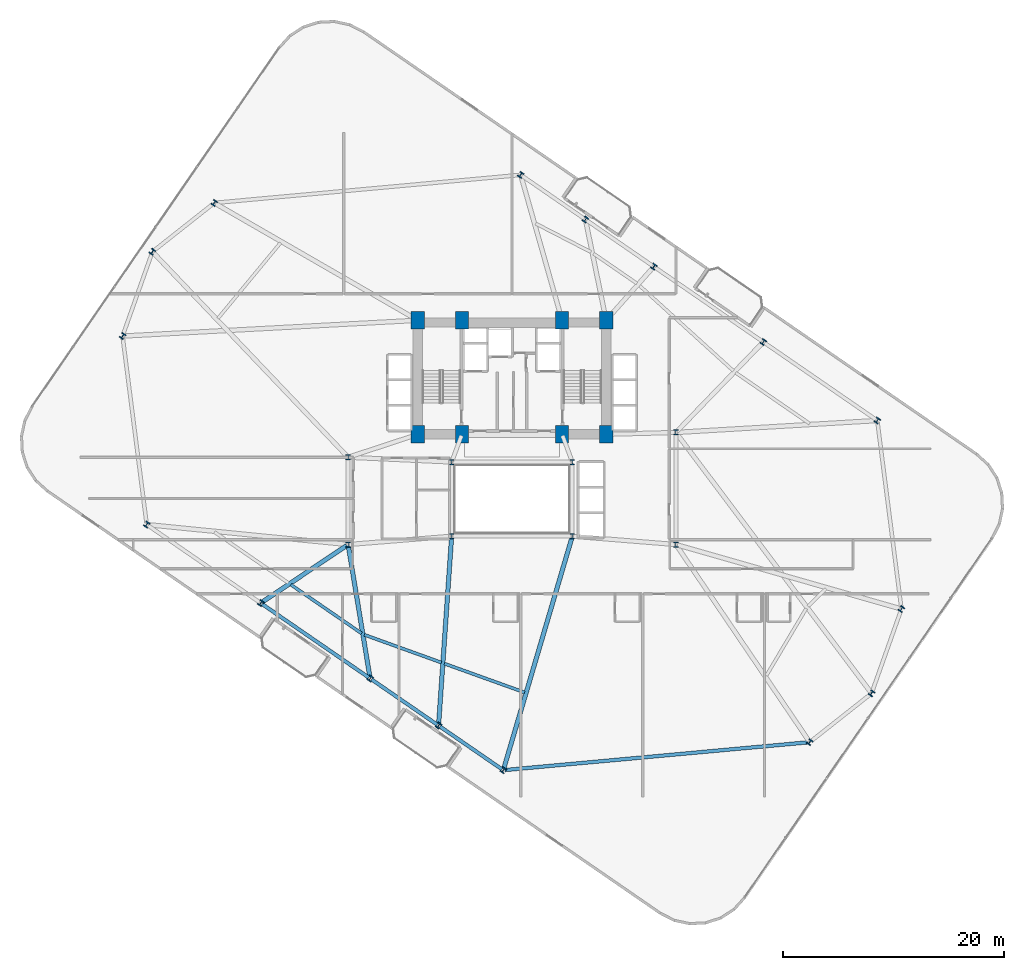
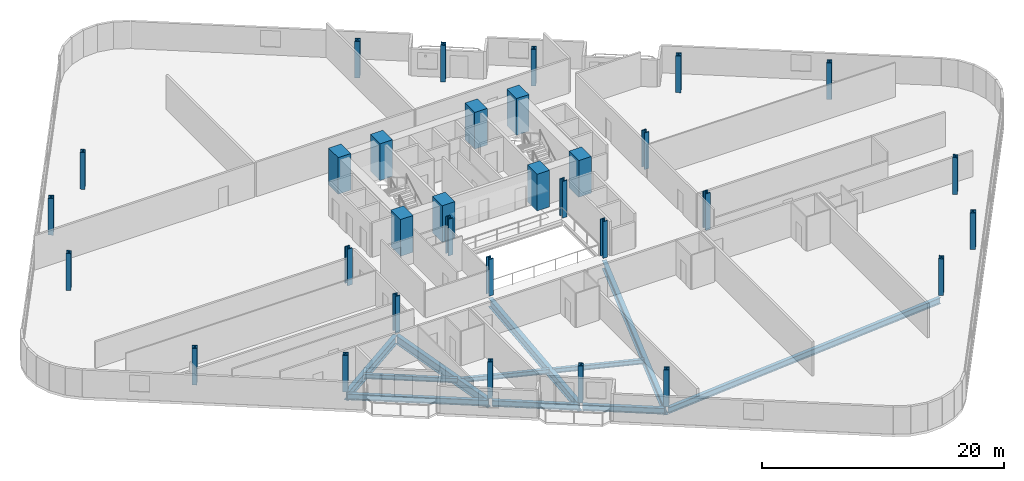
# One storey, part 1 of 24: 32 columns, 11 beams.
"""IFC4 building model written with IfcOpenShell, lengths in metres."""

import ifcopenshell
import ifcopenshell.guid

model = None  # the IFC model being written
_history = None  # IfcOwnerHistory: only IFC2X3 demands one
_inside = {}  # id of a spatial element -> (the spatial element, [elements in it])
_under = {}  # id of a project, library or spatial element -> (it, [spatial elements below it])
_declared = {}  # id of a project -> (the project, [libraries it declares])
_typed = {}  # id of a type object -> (the type object, [elements of that type])
_made_of = {}  # id of a material, layer set ... -> (it, [elements and type objects made of it])


def new_model(schema):
    """Start an empty IFC model of exactly this schema.

    Asked for "IFC4X3", IfcOpenShell would pick the latest addendum, in which some entities
    have other attributes; the version numbers below select the first issue.
    IFC2X3 requires an IfcOwnerHistory on every rooted entity: one is made here for all.
    """
    global model, _history
    if schema == "IFC4X3":
        model = ifcopenshell.file(schema_version=(4, 3, 0, 0))
    else:
        model = ifcopenshell.file(schema=schema)
    _inside.clear()
    _under.clear()
    _declared.clear()
    _typed.clear()
    _made_of.clear()
    _history = None
    if model.schema == "IFC2X3":
        org = make("IfcOrganization", Name="unknown")
        user = make(
            "IfcPersonAndOrganization",
            ThePerson=make("IfcPerson", FamilyName="unknown"),
            TheOrganization=org,
        )
        app = make(
            "IfcApplication",
            ApplicationDeveloper=org,
            Version="unknown",
            ApplicationFullName="unknown",
            ApplicationIdentifier="unknown",
        )
        _history = make(
            "IfcOwnerHistory",
            OwningUser=user,
            OwningApplication=app,
            ChangeAction="ADDED",
            CreationDate=0,
        )
    return model


def make(cls, **values):
    """One entity of the class cls with the attributes given. An attribute that is None is left unset."""
    return model.create_entity(
        cls, **{name: value for name, value in values.items() if value is not None}
    )


def rooted(cls, **values):
    """An entity with a GlobalId (a new one), such as an element, a storey or a relation."""
    return make(cls, GlobalId=ifcopenshell.guid.new(), OwnerHistory=_history, **values)


def si_unit(unit_type, name, prefix=None):
    """IfcSIUnit, for example si_unit("LENGTHUNIT", "METRE", prefix="MILLI")."""
    return make("IfcSIUnit", UnitType=unit_type, Prefix=prefix, Name=name)


def assignment(units):
    """IfcUnitAssignment: the units of a project."""
    return None if units is None else make("IfcUnitAssignment", Units=units)


def point(xyz):
    """IfcCartesianPoint."""
    return None if xyz is None else make("IfcCartesianPoint", Coordinates=xyz)


def direction(xyz):
    """IfcDirection."""
    return None if xyz is None else make("IfcDirection", DirectionRatios=xyz)


def frame(location, z_axis=None, x_axis=None):
    """IfcAxis2Placement3D, a coordinate frame: its origin and axes. An axis left out is left unset."""
    return make(
        "IfcAxis2Placement3D",
        Location=point(location),
        Axis=direction(z_axis),
        RefDirection=direction(x_axis),
    )


def frame_2d(location, x_axis=None):
    """IfcAxis2Placement2D, a coordinate frame in the plane: its origin and x axis."""
    return make(
        "IfcAxis2Placement2D", Location=point(location), RefDirection=direction(x_axis)
    )


def origin():
    """The frame at (0, 0, 0) with its axes left unset."""
    return frame((0.0, 0.0, 0.0))


def origin_2d():
    """The frame at (0, 0) in the plane with its x axis left unset."""
    return frame_2d((0.0, 0.0))


def place(relative_to, where):
    """IfcLocalPlacement: puts the frame where relative to a parent placement (None: the world)."""
    return make(
        "IfcLocalPlacement", PlacementRelTo=relative_to, RelativePlacement=where
    )


def context(
    kind, dimensions, precision=None, world=None, true_north=None, identifier=None
):
    """IfcGeometricRepresentationContext, for example the 3D "Model" context."""
    return make(
        "IfcGeometricRepresentationContext",
        ContextIdentifier=identifier,
        ContextType=kind,
        CoordinateSpaceDimension=dimensions,
        Precision=precision,
        WorldCoordinateSystem=world,
        TrueNorth=true_north,
    )


def subcontext(parent, identifier, kind, view, scale=None):
    """IfcGeometricRepresentationSubContext, for example "Body" below "Model"."""
    return make(
        "IfcGeometricRepresentationSubContext",
        ContextIdentifier=identifier,
        ContextType=kind,
        ParentContext=parent,
        TargetScale=scale,
        TargetView=view,
    )


def project(units=None, contexts=None):
    """IfcProject with its units and contexts."""
    return rooted(
        "IfcProject",
        Name="project",
        RepresentationContexts=contexts,
        UnitsInContext=assignment(units),
    )


def spatial(cls, under=None, at=None, **own):
    """A site, building, storey or space (cls), placed at a placement, below another one or the project."""
    s = rooted(cls, ObjectPlacement=at, **own)
    if under is not None:
        _under.setdefault(under.id(), (under, []))[1].append(s)
    return s


def profile(cls, at=None, kind="AREA", **sizes):
    """A parametric profile (cls). Its sizes go by their IFC names, for example OverallWidth=200.0."""
    return make(cls, ProfileType=kind, Position=at, **sizes)


def rectangle(**sizes):
    """IfcRectangleProfileDef."""
    return profile("IfcRectangleProfileDef", **sizes)


def i_section(**sizes):
    """IfcIShapeProfileDef."""
    return profile("IfcIShapeProfileDef", **sizes)


def extrude(swept, where, along, depth):
    """IfcExtrudedAreaSolid: the profile swept, set in the frame where, extruded along a direction by depth."""
    return make(
        "IfcExtrudedAreaSolid",
        SweptArea=swept,
        Position=where,
        ExtrudedDirection=direction(along),
        Depth=depth,
    )


def shape(context_of_items, identifier, shape_type, items):
    """IfcShapeRepresentation: the items that make up one representation, for example the "Body"."""
    return make(
        "IfcShapeRepresentation",
        ContextOfItems=context_of_items,
        RepresentationIdentifier=identifier,
        RepresentationType=shape_type,
        Items=items,
    )


def material(Name=None, Category=None):
    """IfcMaterial."""
    return make("IfcMaterial", Name=Name, Category=Category)


def material_profile(
    of_material, cross_section, Name=None, Category=None, Priority=None
):
    """IfcMaterialProfile: a cross section and its material."""
    return make(
        "IfcMaterialProfile",
        Name=Name,
        Material=of_material,
        Profile=cross_section,
        Priority=Priority,
        Category=Category,
    )


def profile_set(profiles, Name=None, composite=None):
    """IfcMaterialProfileSet."""
    return make(
        "IfcMaterialProfileSet",
        Name=Name,
        MaterialProfiles=profiles,
        CompositeProfile=composite,
    )


def made_of(thing, what):
    """Note that an element or type object is made of a material, layer set ...; save() writes the relation."""
    if what is not None:
        _made_of.setdefault(what.id(), (what, []))[1].append(thing)
    return thing


def type_object(cls, material=None, **own):
    """A type object (cls), such as IfcWallType, which elements share."""
    return made_of(rooted(cls, **own), material)


def element(
    cls,
    number,
    at=None,
    inside=None,
    cuts=None,
    type_object=None,
    material=None,
    context=None,
    identifier="Body",
    shape_type=None,
    held_by="IfcProductDefinitionShape",
    body=None,
    shapes=None,
    **own,
):
    """One element of the class cls, such as IfcWall. Its Tag is "e" and its number.

    at: its placement. inside: the storey or other place that contains it. cuts: it is an
    opening in that element (IfcRelVoidsElement). A single representation is given by context,
    identifier, shape_type and body (its items); several are given by shapes. held_by: the class
    of the entity that holds the representations. save() writes the other relations.
    """
    e = rooted(cls, Tag="e%d" % number, ObjectPlacement=at, **own)
    if body is not None:
        shapes = [shape(context, identifier, shape_type, body)]
    if shapes is not None:
        e.Representation = make(held_by, Representations=shapes)
    if inside is not None:
        _inside.setdefault(inside.id(), (inside, []))[1].append(e)
    if cuts is not None:
        rooted(
            "IfcRelVoidsElement", RelatingBuildingElement=cuts, RelatedOpeningElement=e
        )
    if type_object is not None:
        _typed.setdefault(type_object.id(), (type_object, []))[1].append(e)
    return made_of(e, material)


def aggregate(whole, parts):
    """IfcRelAggregates: a whole, such as a stair, and the parts it consists of."""
    return rooted("IfcRelAggregates", RelatingObject=whole, RelatedObjects=parts)


def save(model, path):
    """Write the relations noted so far, then the file.

    IfcRelAggregates (storeys below a building ...), IfcRelContainedInSpatialStructure (elements
    in a storey), IfcRelDefinesByType, IfcRelAssociatesMaterial and IfcRelDeclares: one each for
    every whole, place, type object, material and project.
    """
    for whole, parts in _under.values():
        aggregate(whole, parts)
    for where, things in _inside.values():
        rooted(
            "IfcRelContainedInSpatialStructure",
            RelatedElements=things,
            RelatingStructure=where,
        )
    for kind, things in _typed.values():
        rooted("IfcRelDefinesByType", RelatedObjects=things, RelatingType=kind)
    for what, things in _made_of.values():
        rooted("IfcRelAssociatesMaterial", RelatedObjects=things, RelatingMaterial=what)
    for by, libraries in _declared.values():
        rooted("IfcRelDeclares", RelatingContext=by, RelatedDefinitions=libraries)
    model.write(path)


model = new_model("IFC4")

# Units and contexts
model_context = context("Model", 3, precision=1e-05, world=origin(), true_north=direction((0.0, 1.0)))
body_context = subcontext(model_context, "Body", "Model", "MODEL_VIEW")
ifc_project = project(units=[si_unit("LENGTHUNIT", "METRE"), si_unit("AREAUNIT", "SQUARE_METRE"), si_unit("VOLUMEUNIT", "CUBIC_METRE"), si_unit("PLANEANGLEUNIT", "RADIAN"), si_unit("MASSUNIT", "GRAM", prefix="KILO")], contexts=[model_context])

# Site, building, storey
site_placement = place(None, origin())
site = spatial("IfcSite", under=ifc_project, at=site_placement, CompositionType="ELEMENT")
building_placement = place(site_placement, origin())
building = spatial("IfcBuilding", under=site, at=building_placement, Name="Varnelok Gate Tower", CompositionType="ELEMENT")
storey_placement = place(building_placement, frame((0.0, 0.0, 41.800048828125)))
storey = spatial("IfcBuildingStorey", under=building, at=storey_placement, Name="L09", CompositionType="ELEMENT", Elevation=41.800048828125)

# Columns
ifc_material_1 = material(Name="Concrete C70/85", Category="concrete")
ifc_material_profile_1 = material_profile(ifc_material_1, rectangle(XDim=1.199951171875, YDim=1.60009765625, at=origin_2d()), Name="RC1600X1200")
ifc_profile_set_1 = profile_set([ifc_material_profile_1], Name="Concrete C70/85")
column_type_1 = type_object("IfcColumnType", Name="COL-RC1600X1200", PredefinedType="COLUMN", material=ifc_profile_set_1)
for number, where, z_axis, x_axis, name in (
    (1, (30.699951171875, 28.75, 0.0), (0.0, 0.0, 1.0), (1.0, 0.0, 0.0), "L09 Core Spine Column SC1"),
    (2, (34.679931640625, 28.75, 0.0), (0.0, 0.0, 1.0), (1.0, 0.0, 0.0), "L09 Core Spine Column SC2"),
    (3, (43.719970703125, 28.75, 0.0), (0.0, 0.0, 1.0), (1.0, 0.0, 0.0), "L09 Core Spine Column SC3"),
    (4, (47.699951171875, 28.75, 0.0), (0.0, 0.0, 1.0), (1.0, 0.0, 0.0), "L09 Core Spine Column SC4"),
    (5, (30.699951171875, 39.050048828125, 0.0), (0.0, 0.0, 1.0), (1.0, 0.0, 0.0), "L09 Core Spine Column SC5"),
    (6, (34.679931640625, 39.050048828125, 0.0), (0.0, 0.0, 1.0), (1.0, 0.0, 0.0), "L09 Core Spine Column SC6"),
    (7, (43.719970703125, 39.050048828125, 0.0), (0.0, 0.0, 1.0), (1.0, 0.0, 0.0), "L09 Core Spine Column SC7"),
    (8, (47.699951171875, 39.050048828125, 0.0), (0.0, 0.0, 1.0), (1.0, 0.0, 0.0), "L09 Core Spine Column SC8"),
):
    element("IfcColumn", number, at=place(storey_placement, frame(where, z_axis=z_axis, x_axis=x_axis)), inside=storey, type_object=column_type_1, Name=name, PredefinedType="COLUMN", context=body_context, shape_type="SweptSolid", body=[
        extrude(rectangle(XDim=1.199951171875, YDim=1.60009765625, at=origin_2d()), origin(), (0.0, 0.0, 1.0), 3.699951171875),
    ])
ifc_material_2 = material(Name="Structural Steel ASTM A992 Grade 50", Category="steel")
ifc_material_profile_2 = material_profile(ifc_material_2, i_section(OverallWidth=0.431884765625, OverallDepth=0.498046875, WebThickness=0.0556640625, FlangeThickness=0.0888671875, FilletRadius=0.02490234375, at=origin_2d()), Name="W14X500")
ifc_profile_set_2 = profile_set([ifc_material_profile_2], Name="Structural Steel ASTM A992 Grade 50")
column_type_2 = type_object("IfcColumnType", Name="COL-W14X500", PredefinedType="COLUMN", material=ifc_profile_set_2)
for number, where, z_axis, x_axis, name in (
    (9, (33.75, 19.550048828125, 0.0), (0.0, 0.0, 1.0), (1.0, 0.0, 0.0), "L09 Atrium Spine Column AC1"),
    (10, (44.64990234375, 19.550048828125, 0.0), (0.0, 0.0, 1.0), (1.0, 0.0, 0.0), "L09 Atrium Spine Column AC2"),
    (11, (33.75, 26.25, 0.0), (0.0, 0.0, 1.0), (1.0, 0.0, 0.0), "L09 Atrium Spine Column AC3"),
    (12, (44.64990234375, 26.25, 0.0), (0.0, 0.0, 1.0), (1.0, 0.0, 0.0), "L09 Atrium Spine Column AC4"),
    (13, (24.39990234375, 18.800048828125, 0.0), (0.0, 0.0, 1.0), (1.0, 0.0, 0.0), "L09 Wing Spine Column WS1"),
    (14, (24.39990234375, 26.679931640625, 0.0), (0.0, 0.0, 1.0), (1.0, 0.0, 0.0), "L09 Wing Spine Column WS2"),
    (15, (54.0, 18.800048828125, 0.0), (0.0, 0.0, 1.0), (1.0, 0.0, 0.0), "L09 Wing Spine Column ES1"),
    (16, (54.0, 28.919921875, 0.0), (0.0, 0.0, 1.0), (1.0, 0.0, 0.0), "L09 Wing Spine Column ES2"),
    (17, (6.214599609375, 20.602783203125, 0.0), (0.0, 0.0, 1.0), (0.823532597628, -0.567268949127, 0.0), "L09 B1 Perimeter Column PC01"),
    (18, (16.5087890625, 13.511962890625, 0.0), (0.0, 0.0, 1.0), (0.823532597628, -0.567268949127, 0.0), "L09 B1 Perimeter Column PC02"),
    (19, (26.39111328125, 6.70458984375, 0.0), (0.0, 0.0, 1.0), (0.823532597628, -0.567268949127, 0.0), "L09 B1 Perimeter Column PC03"),
    (20, (32.567626953125, 2.4501953125, 0.0), (0.0, 0.0, 1.0), (0.823532597628, -0.567268949127, 0.0), "L09 B1 Perimeter Column PC04"),
    (21, (38.41455078125, -1.577392578125, 0.0), (0.0, 0.0, 1.0), (0.823532597628, -0.567268949127, 0.0), "L09 B1 Perimeter Column PC05"),
    (22, (66.084716796875, 0.95263671875, 0.0), (0.0, 0.0, 1.0), (0.823532597628, -0.567268949127, 0.0), "L09 B1 Perimeter Column PC06"),
    (23, (71.669921875, 5.362548828125, 0.0), (0.0, 0.0, 1.0), (0.823532597628, -0.567268949127, 0.0), "L09 B1 Perimeter Column PC07"),
    (24, (74.366943359375, 12.976318359375, 0.0), (0.0, 0.0, 1.0), (0.823532597628, -0.567268949127, 0.0), "L09 B1 Perimeter Column PC08"),
    (25, (72.185546875, 29.997314453125, 0.0), (0.0, 0.0, 1.0), (0.823532597628, -0.567268949127, 0.0), "L09 B1 Perimeter Column PC09"),
    (26, (61.891357421875, 37.088134765625, 0.0), (0.0, 0.0, 1.0), (0.823532597628, -0.567268949127, 0.0), "L09 B1 Perimeter Column PC10"),
    (27, (52.0087890625, 43.8955078125, 0.0), (0.0, 0.0, 1.0), (0.823532597628, -0.567268949127, 0.0), "L09 B1 Perimeter Column PC11"),
    (28, (45.83251953125, 48.14990234375, 0.0), (0.0, 0.0, 1.0), (0.823532597628, -0.567268949127, 0.0), "L09 B1 Perimeter Column PC12"),
    (29, (39.9853515625, 52.177490234375, 0.0), (0.0, 0.0, 1.0), (0.823532597628, -0.567268949127, 0.0), "L09 B1 Perimeter Column PC13"),
    (30, (12.315185546875, 49.6474609375, 0.0), (0.0, 0.0, 1.0), (0.823532597628, -0.567268949127, 0.0), "L09 B1 Perimeter Column PC14"),
    (31, (6.72998046875, 45.237548828125, 0.0), (0.0, 0.0, 1.0), (0.823532597628, -0.567268949127, 0.0), "L09 B1 Perimeter Column PC15"),
    (32, (4.033203125, 37.623779296875, 0.0), (0.0, 0.0, 1.0), (0.823532597628, -0.567268949127, 0.0), "L09 B1 Perimeter Column PC16"),
):
    element("IfcColumn", number, at=place(storey_placement, frame(where, z_axis=z_axis, x_axis=x_axis)), inside=storey, type_object=column_type_2, Name=name, PredefinedType="COLUMN", context=body_context, shape_type="SweptSolid", body=[
        extrude(i_section(OverallWidth=0.431884765625, OverallDepth=0.498046875, WebThickness=0.0556640625, FlangeThickness=0.0888671875, FilletRadius=0.02490234375, at=origin_2d()), origin(), (0.0, 0.0, 1.0), 3.699951171875),
    ])

# Beams
ifc_material_profile_3 = material_profile(ifc_material_2, i_section(OverallWidth=0.280029296875, OverallDepth=0.462890625, WebThickness=0.0107421875, FlangeThickness=0.017333984375, FilletRadius=0.014892578125, at=origin_2d()), Name="W18X76")
ifc_profile_set_3 = profile_set([ifc_material_profile_3], Name="Structural Steel ASTM A992 Grade 50")
beam_type_1 = type_object("IfcBeamType", Name="BM-JST-W18X76", PredefinedType="JOIST", material=ifc_profile_set_3)
beam_1_placement = place(storey_placement, frame((19.22802734375, 15.177490234375, -0.4814453125), z_axis=(0.823527524504, -0.567276313964, 0.0), x_axis=(0.567276313964, 0.823527524504, 0.0)))
element("IfcBeam", 33, at=beam_1_placement, inside=storey, type_object=beam_type_1, Name="L09 Sector Floor Joist 2", PredefinedType="JOIST", context=body_context, shape_type="SweptSolid", body=[
    extrude(i_section(OverallWidth=0.280029296875, OverallDepth=0.462890625, WebThickness=0.0107421875, FlangeThickness=0.017333984375, FilletRadius=0.014892578125, at=origin_2d()), origin(), (0.0, 0.0, 1.0), 7.760009765625),
])
beam_2_placement = place(storey_placement, frame((25.86572265625, 10.648681640625, -0.4814453125), z_axis=(0.940777992095, -0.339023258183, 0.0), x_axis=(0.339023258183, 0.940777992095, 0.0)))
element("IfcBeam", 34, at=beam_2_placement, inside=storey, type_object=beam_type_1, Name="L09 Sector Floor Joist 3", PredefinedType="JOIST", context=body_context, shape_type="SweptSolid", body=[
    extrude(i_section(OverallWidth=0.280029296875, OverallDepth=0.462890625, WebThickness=0.0107421875, FlangeThickness=0.017333984375, FilletRadius=0.014892578125, at=origin_2d()), origin(), (0.0, 0.0, 1.0), 7.398681640625),
])
beam_3_placement = place(storey_placement, frame((33.089599609375, 8.0458984375, -0.4814453125), z_axis=(0.941149704194, -0.337989991412, 0.0), x_axis=(0.337989991412, 0.941149704194, 0.0)))
element("IfcBeam", 35, at=beam_3_placement, inside=storey, type_object=beam_type_1, Name="L09 Sector Floor Joist 4", PredefinedType="JOIST", context=body_context, shape_type="SweptSolid", body=[
    extrude(i_section(OverallWidth=0.280029296875, OverallDepth=0.462890625, WebThickness=0.0107421875, FlangeThickness=0.017333984375, FilletRadius=0.014892578125, at=origin_2d()), origin(), (0.0, 0.0, 1.0), 7.704345703125),
])
ifc_material_profile_4 = material_profile(ifc_material_2, i_section(OverallWidth=0.39892578125, OverallDepth=0.85498046875, WebThickness=0.018310546875, FlangeThickness=0.029296875, FilletRadius=0.02392578125, at=origin_2d()), Name="W33X201")
ifc_profile_set_4 = profile_set([ifc_material_profile_4], Name="Structural Steel ASTM A992 Grade 50")
beam_type_2 = type_object("IfcBeamType", Name="BM-PRI-W33X201", PredefinedType="BEAM", material=ifc_profile_set_4)
beam_4_placement = place(storey_placement, frame((24.275390625, 18.716552734375, -0.677490234375), z_axis=(-0.830725059098, -0.556682922485, 0.0), x_axis=(0.556682922485, -0.830725059098, 0.0)))
element("IfcBeam", 36, at=beam_4_placement, inside=storey, type_object=beam_type_2, Name="L09 Radial Floor Girder 2", PredefinedType="BEAM", context=body_context, shape_type="SweptSolid", body=[
    extrude(i_section(OverallWidth=0.39892578125, OverallDepth=0.85498046875, WebThickness=0.018310546875, FlangeThickness=0.029296875, FilletRadius=0.02392578125, at=origin_2d()), origin(), (0.0, 0.0, 1.0), 9.19921875),
])
beam_5_placement = place(storey_placement, frame((24.42431640625, 18.652099609375, -0.677490234375), z_axis=(0.162428802214, -0.986720266444, 0.0), x_axis=(0.986720266444, 0.162428802214, 0.0)))
element("IfcBeam", 37, at=beam_5_placement, inside=storey, type_object=beam_type_2, Name="L09 Radial Floor Girder 3", PredefinedType="BEAM", context=body_context, shape_type="SweptSolid", body=[
    extrude(i_section(OverallWidth=0.39892578125, OverallDepth=0.85498046875, WebThickness=0.018310546875, FlangeThickness=0.029296875, FilletRadius=0.02392578125, at=origin_2d()), origin(), (0.0, 0.0, 1.0), 11.958251953125),
])
beam_6_placement = place(storey_placement, frame((33.73974609375, 19.400390625, -0.677490234375), z_axis=(-0.068990652765, -0.997617306301, 0.0), x_axis=(0.997617306301, -0.068990652765, 0.0)))
element("IfcBeam", 38, at=beam_6_placement, inside=storey, type_object=beam_type_2, Name="L09 Radial Floor Girder 4", PredefinedType="BEAM", context=body_context, shape_type="SweptSolid", body=[
    extrude(i_section(OverallWidth=0.39892578125, OverallDepth=0.85498046875, WebThickness=0.018310546875, FlangeThickness=0.029296875, FilletRadius=0.02392578125, at=origin_2d()), origin(), (0.0, 0.0, 1.0), 16.8408203125),
])
beam_7_placement = place(storey_placement, frame((44.607421875, 19.406005859375, -0.677490234375), z_axis=(-0.283059829362, -0.959102253673, 0.0), x_axis=(0.959102253673, -0.283059829362, 0.0)))
element("IfcBeam", 39, at=beam_7_placement, inside=storey, type_object=beam_type_2, Name="L09 Radial Floor Girder 5", PredefinedType="BEAM", context=body_context, shape_type="SweptSolid", body=[
    extrude(i_section(OverallWidth=0.39892578125, OverallDepth=0.85498046875, WebThickness=0.018310546875, FlangeThickness=0.029296875, FilletRadius=0.02392578125, at=origin_2d()), origin(), (0.0, 0.0, 1.0), 21.728271484375),
])
ifc_material_profile_5 = material_profile(ifc_material_2, i_section(OverallWidth=0.323974609375, OverallDepth=0.611083984375, WebThickness=0.0126953125, FlangeThickness=0.01904296875, FilletRadius=0.01806640625, at=origin_2d()), Name="W24X104")
ifc_profile_set_5 = profile_set([ifc_material_profile_5], Name="Structural Steel ASTM A992 Grade 50")
beam_type_3 = type_object("IfcBeamType", Name="BM-SPN-W24X104", PredefinedType="SPANDREL", material=ifc_profile_set_5)
beam_8_placement = place(storey_placement, frame((16.632080078125, 13.4267578125, -0.5556640625), z_axis=(0.823540527698, -0.567257436478, 0.0), x_axis=(0.567257436478, 0.823540527698, 0.0)))
element("IfcBeam", 40, at=beam_8_placement, inside=storey, type_object=beam_type_3, Name="L09 Perimeter Spandrel Beam 2", PredefinedType="SPANDREL", context=body_context, shape_type="SweptSolid", body=[
    extrude(i_section(OverallWidth=0.323974609375, OverallDepth=0.611083984375, WebThickness=0.0126953125, FlangeThickness=0.01904296875, FilletRadius=0.01806640625, at=origin_2d()), origin(), (0.0, 0.0, 1.0), 11.7001953125),
])
beam_9_placement = place(storey_placement, frame((26.5146484375, 6.619384765625, -0.5556640625), z_axis=(0.823539986654, -0.56725822196, 0.0), x_axis=(0.56725822196, 0.823539986654, 0.0)))
element("IfcBeam", 41, at=beam_9_placement, inside=storey, type_object=beam_type_3, Name="L09 Perimeter Spandrel Beam 3", PredefinedType="SPANDREL", context=body_context, shape_type="SweptSolid", body=[
    extrude(i_section(OverallWidth=0.323974609375, OverallDepth=0.611083984375, WebThickness=0.0126953125, FlangeThickness=0.01904296875, FilletRadius=0.01806640625, at=origin_2d()), origin(), (0.0, 0.0, 1.0), 7.199951171875),
])
beam_10_placement = place(storey_placement, frame((32.691162109375, 2.364990234375, -0.5556640625), z_axis=(0.823525119645, -0.567279805135, 0.0), x_axis=(0.567279805135, 0.823525119645, 0.0)))
element("IfcBeam", 42, at=beam_10_placement, inside=storey, type_object=beam_type_3, Name="L09 Perimeter Spandrel Beam 4", PredefinedType="SPANDREL", context=body_context, shape_type="SweptSolid", body=[
    extrude(i_section(OverallWidth=0.323974609375, OverallDepth=0.611083984375, WebThickness=0.0126953125, FlangeThickness=0.01904296875, FilletRadius=0.01806640625, at=origin_2d()), origin(), (0.0, 0.0, 1.0), 6.7998046875),
])
beam_11_placement = place(storey_placement, frame((38.56396484375, -1.563720703125, -0.5556640625), z_axis=(0.995845891963, 0.091054705864, 0.0), x_axis=(-0.091054705864, 0.995845891963, 0.0)))
element("IfcBeam", 43, at=beam_11_placement, inside=storey, type_object=beam_type_3, Name="L09 Perimeter Spandrel Beam 5", PredefinedType="SPANDREL", context=body_context, shape_type="SweptSolid", body=[
    extrude(i_section(OverallWidth=0.323974609375, OverallDepth=0.611083984375, WebThickness=0.0126953125, FlangeThickness=0.01904296875, FilletRadius=0.01806640625, at=origin_2d()), origin(), (0.0, 0.0, 1.0), 27.485595703125),
])

save(model, "model.ifc")
